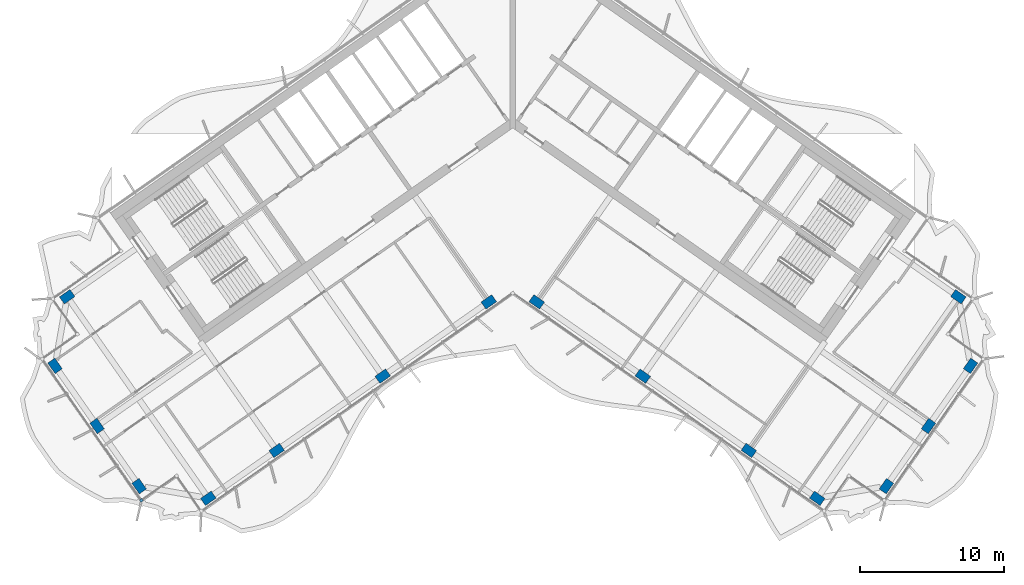
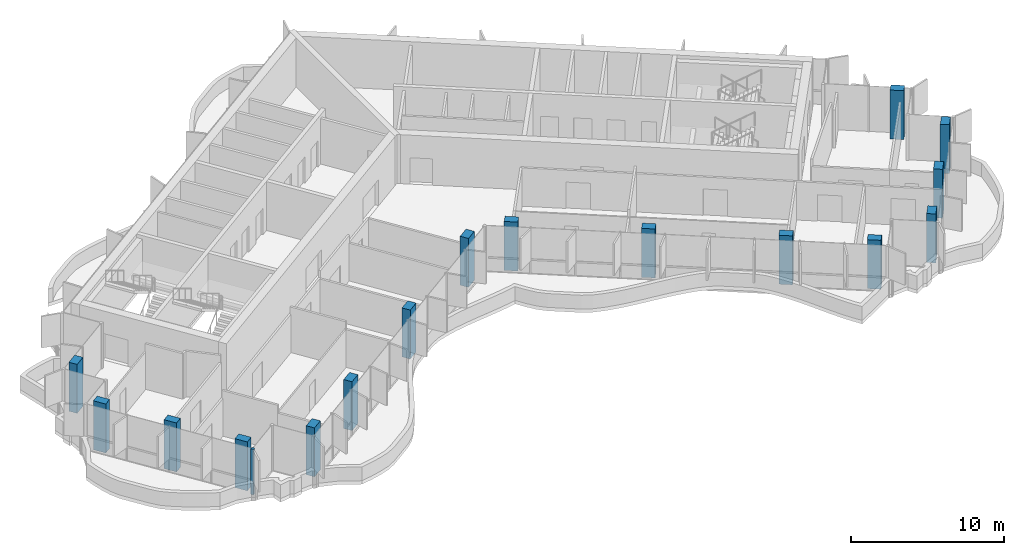
# One storey, part 1 of 20: 16 columns, 1 member, 1 element without a shape of its own.
"""IFC4 building model written with IfcOpenShell, lengths in metres."""

from ifc_helpers import new_model, si_unit, direction, frame, origin, origin_2d, place, context, subcontext, project, spatial, rectangle, extrude, material, material_profile, profile_set, type_object, element, aggregate, save


model = new_model("IFC4")

# Units and contexts
model_context = context("Model", 3, precision=1e-05, world=origin(), true_north=direction((0.0, 1.0)))
body_context = subcontext(model_context, "Body", "Model", "MODEL_VIEW")
ifc_project = project(units=[si_unit("LENGTHUNIT", "METRE"), si_unit("AREAUNIT", "SQUARE_METRE"), si_unit("VOLUMEUNIT", "CUBIC_METRE"), si_unit("PLANEANGLEUNIT", "RADIAN"), si_unit("MASSUNIT", "GRAM", prefix="KILO")], contexts=[model_context])

# Site, building, storey
site_placement = place(None, origin())
site = spatial("IfcSite", under=ifc_project, at=site_placement, CompositionType="ELEMENT")
building_placement = place(site_placement, origin())
building = spatial("IfcBuilding", under=site, at=building_placement, Name="Tel Ilan Convention Tower", CompositionType="ELEMENT")
storey_placement = place(building_placement, frame((0.0, 0.0, 229.300048828125)))
storey = spatial("IfcBuildingStorey", under=building, at=storey_placement, Name="L53", CompositionType="ELEMENT", Elevation=229.300048828125)

# Columns
ifc_material_1 = material(Name="Concrete C40/50", Category="concrete")
ifc_material_profile_1 = material_profile(ifc_material_1, rectangle(XDim=0.89990234375, YDim=0.60009765625, at=origin_2d()), Name="RC 600x900")
ifc_profile_set_1 = profile_set([ifc_material_profile_1], Name="Concrete C40/50")
column_type = type_object("IfcColumnType", Name="Column RC 600x900 C40/50", PredefinedType="COLUMN", material=ifc_profile_set_1)
for number, where, z_axis, x_axis, name in (
    (1, (-1.665283203125, -13.312744140625, 0.0), (0.0, 0.0, 1.0), (-0.819152044289, -0.573576436351, 0.0), "L53 column W-F1"),
    (2, (-9.03759765625, -18.474853515625, 0.0), (0.0, 0.0, 1.0), (-0.819152044289, -0.573576436351, 0.0), "L53 column W-F2"),
    (3, (-16.409912109375, -23.63720703125, 0.0), (0.0, 0.0, 1.0), (-0.819152044289, -0.573576436351, 0.0), "L53 column W-F3"),
    (4, (-21.1611328125, -26.9638671875, 0.0), (0.0, 0.0, 1.0), (-0.819152044289, -0.573576436351, 0.0), "L53 column W-FC"),
    (5, (-30.96923828125, -12.956298828125, 0.0), (0.0, 0.0, 1.0), (-0.819152044289, -0.573576436351, 0.0), "L53 column W-BC"),
    (6, (-25.966064453125, -26.11669921875, 0.0), (0.0, 0.0, 1.0), (-0.573576436351, 0.819152044289, 0.0), "L53 column W-E1"),
    (7, (-28.891357421875, -21.93896484375, 0.0), (0.0, 0.0, 1.0), (-0.573576436351, 0.819152044289, 0.0), "L53 column W-E2"),
    (8, (-31.81640625, -17.76123046875, 0.0), (0.0, 0.0, 1.0), (-0.573576436351, 0.819152044289, 0.0), "L53 column W-E3"),
    (9, (1.665283203125, -13.312744140625, 0.0), (0.0, 0.0, 1.0), (0.819152044289, -0.573576436351, 0.0), "L53 column E-F1"),
    (10, (9.03759765625, -18.474853515625, 0.0), (0.0, 0.0, 1.0), (0.819152044289, -0.573576436351, 0.0), "L53 column E-F2"),
    (11, (16.409912109375, -23.63720703125, 0.0), (0.0, 0.0, 1.0), (0.819152044289, -0.573576436351, 0.0), "L53 column E-F3"),
    (12, (21.1611328125, -26.9638671875, 0.0), (0.0, 0.0, 1.0), (0.819152044289, -0.573576436351, 0.0), "L53 column E-FC"),
    (13, (30.96923828125, -12.956298828125, 0.0), (0.0, 0.0, 1.0), (0.819152044289, -0.573576436351, 0.0), "L53 column E-BC"),
    (14, (25.966064453125, -26.11669921875, 0.0), (0.0, 0.0, 1.0), (0.573576436351, 0.819152044289, 0.0), "L53 column E-E1"),
    (15, (28.891357421875, -21.93896484375, 0.0), (0.0, 0.0, 1.0), (0.573576436351, 0.819152044289, 0.0), "L53 column E-E2"),
    (16, (31.81640625, -17.76123046875, 0.0), (0.0, 0.0, 1.0), (0.573576436351, 0.819152044289, 0.0), "L53 column E-E3"),
):
    element("IfcColumn", number, at=place(storey_placement, frame(where, z_axis=z_axis, x_axis=x_axis)), inside=storey, type_object=column_type, Name=name, PredefinedType="COLUMN", context=body_context, shape_type="SweptSolid", body=[
        extrude(rectangle(XDim=0.89990234375, YDim=0.60009765625, at=origin_2d()), origin(), (0.0, 0.0, 1.0), 3.89990234375),
    ])

# Curtain wall, member
ifc_material_2 = material(Name="Aluminium, bronze anodised", Category="aluminium")
curtain_wall_type = type_object("IfcCurtainWallType", Name="CW5 STICK CURTAIN WALL, UPPER OFFICE LOW-IRON TINTED GLASS", PredefinedType="NOTDEFINED", material=ifc_material_2)
curtain_wall_placement = place(storey_placement, origin())
curtain_wall = element("IfcCurtainWall", 17, at=curtain_wall_placement, inside=storey, type_object=curtain_wall_type, Name="Curtain wall CW5-42.02", PredefinedType="NOTDEFINED")
ifc_material_3 = material(Name="Aluminium, bronze anodised", Category="aluminium")
ifc_material_profile_2 = material_profile(ifc_material_3, rectangle(XDim=0.199951171875, YDim=0.199951171875, at=origin_2d()), Name="CW CORNER MULLION 200x200")
ifc_profile_set_2 = profile_set([ifc_material_profile_2], Name="Aluminium, bronze anodised")
member_type = type_object("IfcMemberType", Name="CW CORNER MULLION 200x200", PredefinedType="MULLION", material=ifc_profile_set_2)
member_placement = place(storey_placement, frame((-25.818359375, -27.112060546875, 0.0), z_axis=(0.0, 0.0, 1.0), x_axis=(0.573576436351, -0.819152044289, 0.0)))
member = element("IfcMember", 18, at=member_placement, type_object=member_type, Name="Corner mullion", PredefinedType="MULLION", context=body_context, shape_type="SweptSolid", body=[
    extrude(rectangle(XDim=0.199951171875, YDim=0.199951171875, at=origin_2d()), origin(), (0.0, 0.0, 1.0), 3.619873046875),
])
aggregate(curtain_wall, [member])

save(model, "model.ifc")
